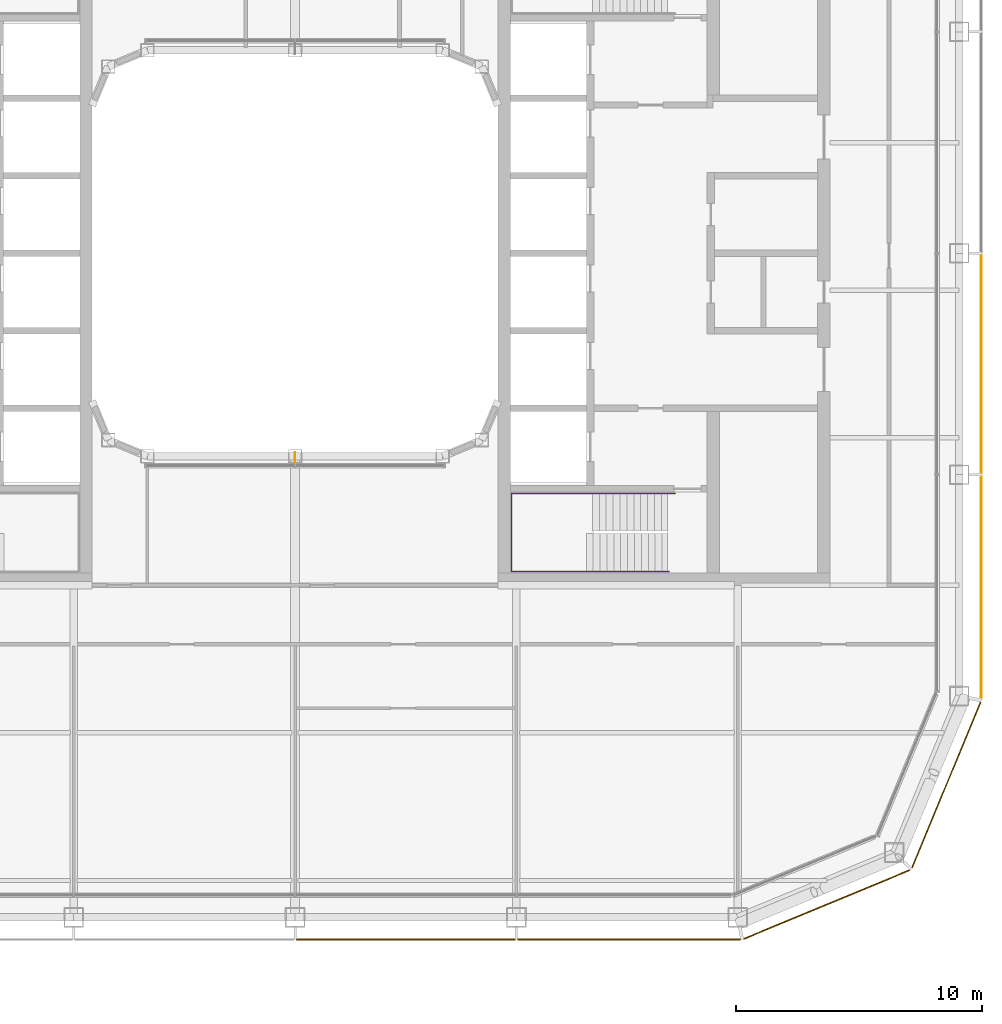
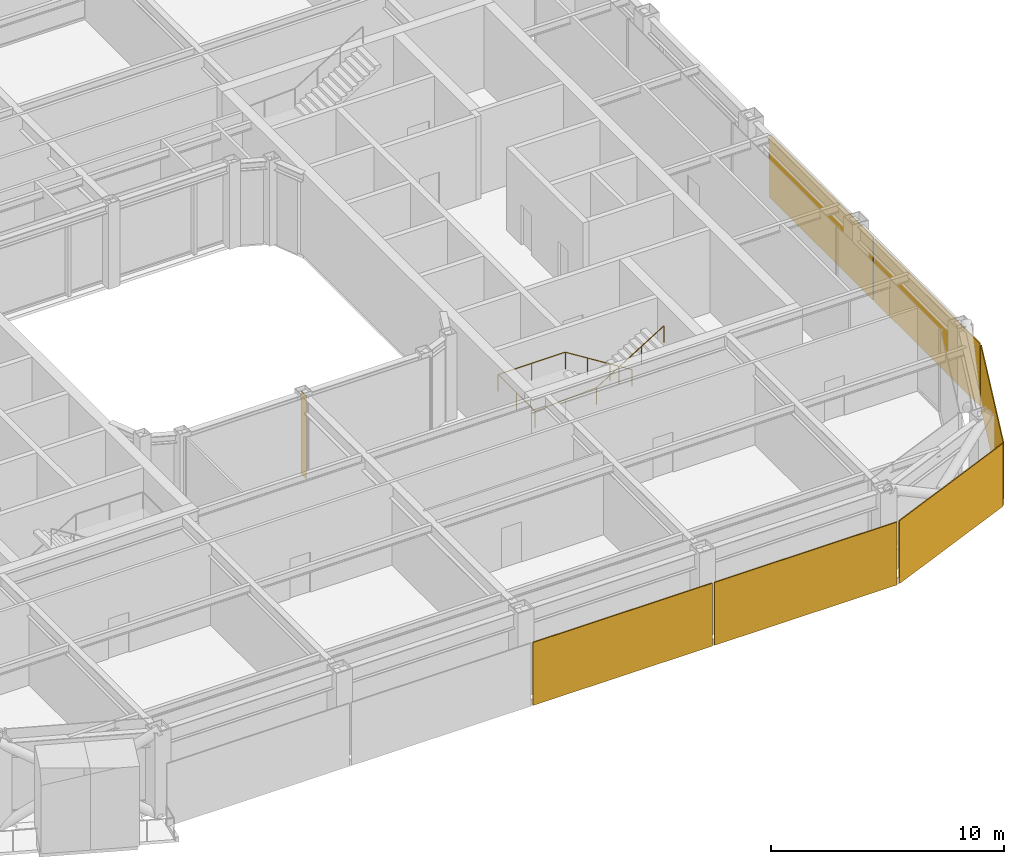
# One storey, part 20 of 23: 6 coverings, 1 railing, 1 shading device.
"""IFC4 building model written with IfcOpenShell, lengths in metres."""

from ifc_helpers import new_model, si_unit, direction, frame, origin, origin_2d, place, context, subcontext, project, spatial, rectangle, circle, extrude, material, layer, layer_set, type_object, element, save


model = new_model("IFC4")

# Units and contexts
model_context = context("Model", 3, precision=1e-05, world=origin(), true_north=direction((0.0, 1.0)))
body_context = subcontext(model_context, "Body", "Model", "MODEL_VIEW")
ifc_project = project(units=[si_unit("LENGTHUNIT", "METRE"), si_unit("AREAUNIT", "SQUARE_METRE"), si_unit("VOLUMEUNIT", "CUBIC_METRE"), si_unit("PLANEANGLEUNIT", "RADIAN"), si_unit("MASSUNIT", "GRAM", prefix="KILO")], contexts=[model_context])

# Site, building, storey
site_placement = place(None, origin())
site = spatial("IfcSite", under=ifc_project, at=site_placement, CompositionType="ELEMENT")
building_placement = place(site_placement, origin())
building = spatial("IfcBuilding", under=site, at=building_placement, Name="Siwar Civic Tower", CompositionType="ELEMENT")
storey_placement = place(building_placement, frame((0.0, 0.0, 251.199951171875)))
storey = spatial("IfcBuildingStorey", under=building, at=storey_placement, Name="L54", CompositionType="ELEMENT", Elevation=251.199951171875)

# Railing
ifc_material_1 = material(Name="Stainless steel", Category="steel")
railing_type = type_object("IfcRailingType", Name="CORE-STAIR-HANDRAIL", PredefinedType="HANDRAIL", material=ifc_material_1)
railing_placement = place(storey_placement, frame((15.449951171875, -9.758056640625, 0.173095703125)))
element("IfcRailing", 1, at=railing_placement, inside=storey, type_object=railing_type, Name="Stair handrail ST4", PredefinedType="HANDRAIL", context=body_context, shape_type="SweptSolid", body=[
    extrude(circle(Radius=0.02001953125, at=origin_2d()), frame((0.0, 0.0, 0.8798828125), z_axis=(-0.847063342986, 0.0, 0.531491950051), x_axis=(0.0, -1.0, 0.0)), (0.0, 0.0, 1.0), 3.90771484375),
    extrude(circle(Radius=0.02001953125, at=origin_2d()), frame((-3.31005859375, 0.0, 2.956787109375), z_axis=(-1.0, 0.0, 0.0), x_axis=(0.0, -1.0, 0.0)), (0.0, 0.0, 1.0), 3.331787109375),
    extrude(circle(Radius=0.02001953125, at=origin_2d()), frame((-6.641845703125, 0.0, 2.956787109375), z_axis=(0.0, -1.0, 0.0), x_axis=(1.0, 0.0, 0.0)), (0.0, 0.0, 1.0), 3.183837890625),
    extrude(circle(Radius=0.02001953125, at=origin_2d()), frame((-6.641845703125, -3.183837890625, 2.956787109375), z_axis=(0.99837434197, 0.0, 0.056997134106), x_axis=(0.0, 1.0, 0.0)), (0.0, 0.0, 1.0), 3.036865234375),
    extrude(circle(Radius=0.02001953125, at=origin_2d()), frame((-3.60986328125, -3.183837890625, 3.1298828125), z_axis=(0.850606129759, 0.0, 0.525803396734), x_axis=(0.0, 1.0, 0.0)), (0.0, 0.0, 1.0), 3.949951171875),
    extrude(circle(Radius=0.02001953125, at=origin_2d()), origin(), (0.0, 0.0, 1.0), 0.85986328125),
    extrude(circle(Radius=0.02001953125, at=origin_2d()), frame((-1.103271484375, 0.0, 0.6923828125)), (0.0, 0.0, 1.0), 0.85986328125),
    extrude(circle(Radius=0.02001953125, at=origin_2d()), frame((-2.206787109375, 0.0, 1.384521484375)), (0.0, 0.0, 1.0), 0.85986328125),
    extrude(circle(Radius=0.02001953125, at=origin_2d()), frame((-3.31005859375, 0.0, 2.076904296875)), (0.0, 0.0, 1.0), 0.85986328125),
    extrude(circle(Radius=0.02001953125, at=origin_2d()), frame((-4.97607421875, 0.0, 2.076904296875)), (0.0, 0.0, 1.0), 0.85986328125),
    extrude(circle(Radius=0.02001953125, at=origin_2d()), frame((-6.641845703125, 0.0, 2.076904296875)), (0.0, 0.0, 1.0), 0.85986328125),
    extrude(circle(Radius=0.02001953125, at=origin_2d()), frame((-6.641845703125, -1.591796875, 2.076904296875)), (0.0, 0.0, 1.0), 0.85986328125),
    extrude(circle(Radius=0.02001953125, at=origin_2d()), frame((-6.641845703125, -3.183837890625, 2.076904296875)), (0.0, 0.0, 1.0), 0.85986328125),
    extrude(circle(Radius=0.02001953125, at=origin_2d()), frame((-5.1259765625, -3.183837890625, 2.16357421875)), (0.0, 0.0, 1.0), 0.85986328125),
    extrude(circle(Radius=0.02001953125, at=origin_2d()), frame((-3.60986328125, -3.183837890625, 2.25)), (0.0, 0.0, 1.0), 0.85986328125),
    extrude(circle(Radius=0.02001953125, at=origin_2d()), frame((-2.489990234375, -3.183837890625, 2.9423828125)), (0.0, 0.0, 1.0), 0.85986328125),
    extrude(circle(Radius=0.02001953125, at=origin_2d()), frame((-1.369873046875, -3.183837890625, 3.634521484375)), (0.0, 0.0, 1.0), 0.85986328125),
    extrude(circle(Radius=0.02001953125, at=origin_2d()), frame((-0.25, -3.183837890625, 4.326904296875)), (0.0, 0.0, 1.0), 0.85986328125),
])

# Shading device
ifc_material_2 = material(Name="Aluminium 6063-T6", Category="aluminium")
ifc_layer_1 = layer(ifc_material_2, 0.02001953125)
ifc_layer_set_1 = layer_set([ifc_layer_1], Name="Aluminium 6063-T6")
shading_device_type = type_object("IfcShadingDeviceType", Name="ENV-FIN", PredefinedType="JALOUSIE", material=ifc_layer_set_1)
shading_device_placement = place(storey_placement, frame((0.0, -8.320068359375, 0.0), z_axis=(0.0, 0.0, 1.0), x_axis=(1.0, 0.0, 0.0)))
element("IfcShadingDevice", 2, at=shading_device_placement, inside=storey, type_object=shading_device_type, Name="SUNSHADE fin WS 1", PredefinedType="JALOUSIE", context=body_context, shape_type="SweptSolid", body=[
    extrude(rectangle(XDim=0.02001953125, YDim=0.449951171875, at=origin_2d()), origin(), (0.0, 0.0, 1.0), 4.35009765625),
])

# Coverings
ifc_material_3 = material(Name="Perforated aluminium cassette, pale metal", Category="aluminium")
ifc_layer_2 = layer(ifc_material_3, 0.0400390625)
ifc_layer_set_2 = layer_set([ifc_layer_2], Name="Perforated aluminium cassette, pale metal")
covering_type_1 = type_object("IfcCoveringType", Name="ENV-OUTER SKIN OS-1", PredefinedType="CLADDING", material=ifc_layer_set_2)
covering_1_placement = place(storey_placement, frame((27.89990234375, -13.57958984375, -0.14990234375), z_axis=(0.0, 0.0, 1.0), x_axis=(0.0, 1.0, 0.0)))
element("IfcCovering", 3, at=covering_1_placement, inside=storey, type_object=covering_type_1, Name="OUTER SKIN OS-1 E 1", PredefinedType="CLADDING", context=body_context, shape_type="SweptSolid", body=[
    extrude(rectangle(XDim=9.05908203125, YDim=0.0400390625, at=origin_2d()), origin(), (0.0, 0.0, 1.0), 3.300048828125),
])
covering_2_placement = place(storey_placement, frame((27.89990234375, -4.5, -0.14990234375), z_axis=(0.0, 0.0, 1.0), x_axis=(0.0, 1.0, 0.0)))
element("IfcCovering", 4, at=covering_2_placement, inside=storey, type_object=covering_type_1, Name="OUTER SKIN OS-1 E 2", PredefinedType="CLADDING", context=body_context, shape_type="SweptSolid", body=[
    extrude(rectangle(XDim=8.89990234375, YDim=0.0400390625, at=origin_2d()), origin(), (0.0, 0.0, 1.0), 3.300048828125),
])
ifc_material_4 = material(Name="Perforated aluminium cassette, pale metal", Category="aluminium")
ifc_layer_3 = layer(ifc_material_4, 0.044921875)
ifc_layer_set_3 = layer_set([ifc_layer_3], Name="Perforated aluminium cassette, pale metal")
covering_type_2 = type_object("IfcCoveringType", Name="ENV-OUTER SKIN OS-2", PredefinedType="CLADDING", material=ifc_layer_set_3)
covering_3_placement = place(storey_placement, frame((26.476318359375, -21.615966796875, -0.14990234375), z_axis=(0.0, 0.0, 1.0), x_axis=(0.382683432365, 0.923879532511, 0.0)))
element("IfcCovering", 5, at=covering_3_placement, inside=storey, type_object=covering_type_2, Name="OUTER SKIN OS-2 SE2 1", PredefinedType="CLADDING", context=body_context, shape_type="SweptSolid", body=[
    extrude(rectangle(XDim=7.300048828125, YDim=0.044921875, at=origin_2d()), origin(), (0.0, 0.0, 1.0), 3.300048828125),
])
ifc_material_5 = material(Name="Perforated aluminium cassette, pale metal", Category="aluminium")
ifc_layer_4 = layer(ifc_material_5, 0.050048828125)
ifc_layer_set_4 = layer_set([ifc_layer_4], Name="Perforated aluminium cassette, pale metal")
covering_type_3 = type_object("IfcCoveringType", Name="ENV-OUTER SKIN OS-3", PredefinedType="CLADDING", material=ifc_layer_set_4)
covering_4_placement = place(storey_placement, frame((21.615966796875, -26.476318359375, -0.14990234375), z_axis=(0.0, 0.0, 1.0), x_axis=(0.923879532511, 0.382683432365, 0.0)))
element("IfcCovering", 6, at=covering_4_placement, inside=storey, type_object=covering_type_3, Name="OUTER SKIN OS-3 SE1 1", PredefinedType="CLADDING", context=body_context, shape_type="SweptSolid", body=[
    extrude(rectangle(XDim=7.300048828125, YDim=0.050048828125, at=origin_2d()), origin(), (0.0, 0.0, 1.0), 3.300048828125),
])
ifc_material_6 = material(Name="Perforated aluminium cassette, pale metal", Category="aluminium")
ifc_layer_5 = layer(ifc_material_6, 0.054931640625)
ifc_layer_set_5 = layer_set([ifc_layer_5], Name="Perforated aluminium cassette, pale metal")
covering_type_4 = type_object("IfcCoveringType", Name="ENV-OUTER SKIN OS-4", PredefinedType="CLADDING", material=ifc_layer_set_5)
covering_5_placement = place(storey_placement, frame((4.5, -27.89990234375, -0.14990234375), z_axis=(0.0, 0.0, 1.0), x_axis=(1.0, 0.0, 0.0)))
element("IfcCovering", 7, at=covering_5_placement, inside=storey, type_object=covering_type_4, Name="OUTER SKIN OS-4 S 3", PredefinedType="CLADDING", context=body_context, shape_type="SweptSolid", body=[
    extrude(rectangle(XDim=8.89990234375, YDim=0.054931640625, at=origin_2d()), origin(), (0.0, 0.0, 1.0), 3.300048828125),
])
covering_6_placement = place(storey_placement, frame((13.57958984375, -27.89990234375, -0.14990234375), z_axis=(0.0, 0.0, 1.0), x_axis=(1.0, 0.0, 0.0)))
element("IfcCovering", 8, at=covering_6_placement, inside=storey, type_object=covering_type_4, Name="OUTER SKIN OS-4 S 4", PredefinedType="CLADDING", context=body_context, shape_type="SweptSolid", body=[
    extrude(rectangle(XDim=9.05908203125, YDim=0.054931640625, at=origin_2d()), origin(), (0.0, 0.0, 1.0), 3.300048828125),
])

save(model, "model.ifc")
